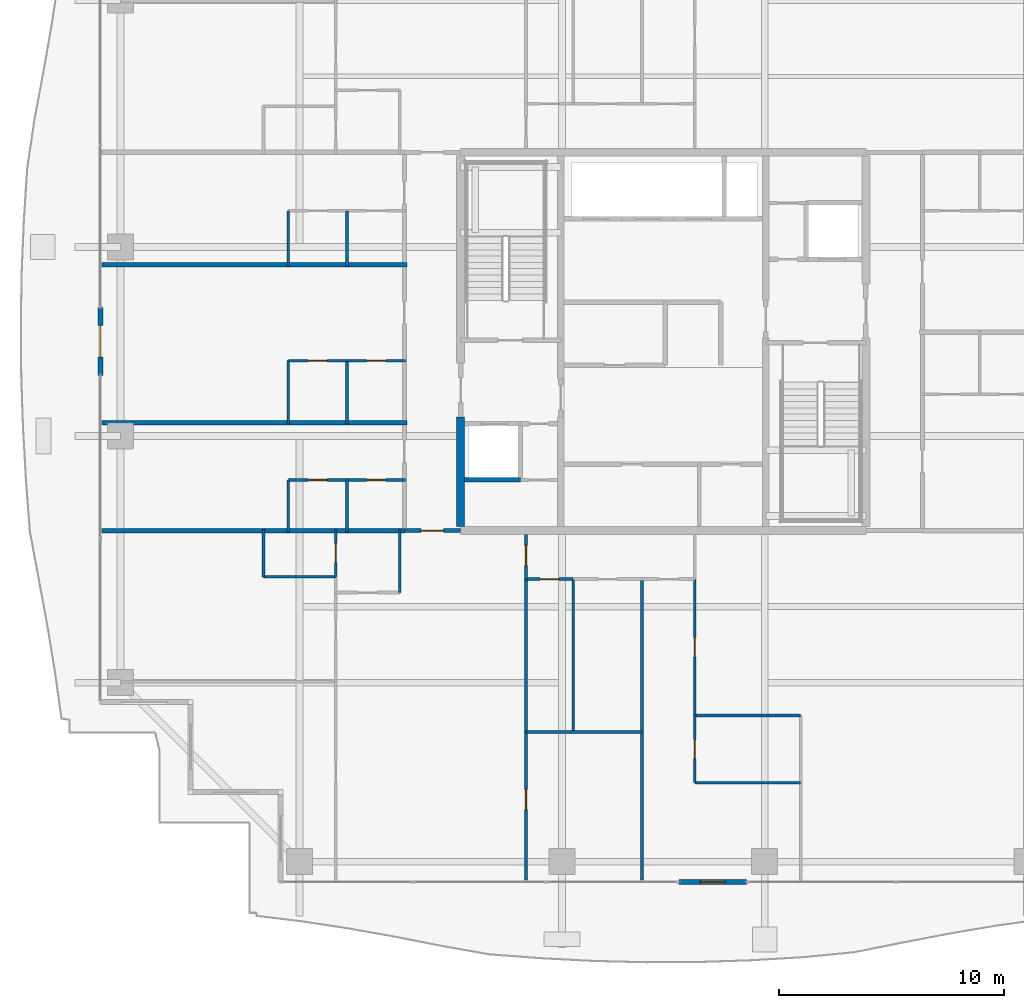
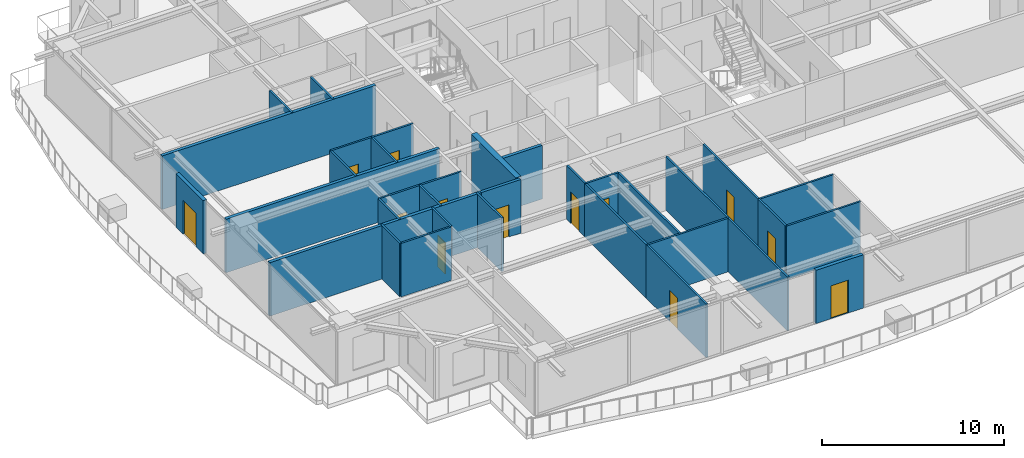
# One storey, part 25 of 36: 33 walls, 13 doors, 13 openings.
"""IFC4 building model written with IfcOpenShell, lengths in metres."""

from ifc_helpers import new_model, si_unit, direction, frame, frame_2d, origin, place, context, subcontext, project, spatial, rectangle, extrude, source, transform, mapped, material, layer, layer_set, type_object, element, fill, save


model = new_model("IFC4")

# Units and contexts
model_context = context("Model", 3, precision=1e-05, world=origin(), true_north=direction((0.0, 1.0)))
body_context = subcontext(model_context, "Body", "Model", "MODEL_VIEW")
ifc_project = project(units=[si_unit("LENGTHUNIT", "METRE"), si_unit("AREAUNIT", "SQUARE_METRE"), si_unit("VOLUMEUNIT", "CUBIC_METRE"), si_unit("PLANEANGLEUNIT", "RADIAN"), si_unit("MASSUNIT", "GRAM", prefix="KILO")], contexts=[model_context])

# Site, building, storey
site_placement = place(None, origin())
site = spatial("IfcSite", under=ifc_project, at=site_placement, CompositionType="ELEMENT")
building_placement = place(site_placement, origin())
building = spatial("IfcBuilding", under=site, at=building_placement, Name="Serunith Strait Residences", CompositionType="ELEMENT")
storey_placement = place(building_placement, frame((0.0, 0.0, 272.050048828125)))
storey = spatial("IfcBuildingStorey", under=building, at=storey_placement, Name="L68", CompositionType="ELEMENT", Elevation=272.050048828125)

# Wall, opening, door
ifc_material_1 = material(Name="Pale-Champagne Aluminium Insulated Panel", Category="aluminium")
ifc_layer_1 = layer(ifc_material_1, 0.219970703125, Name="Pale-Champagne Aluminium Insulated Panel")
ifc_layer_set_1 = layer_set([ifc_layer_1], Name="Pale-Champagne Aluminium Insulated Panel")
wall_type_1 = type_object("IfcWallType", Name="EW-ALUM-220", PredefinedType="ELEMENTEDWALL", material=ifc_layer_set_1)
wall_1_placement = place(storey_placement, frame((33.10009765625, 1.199951171875, 0.0), z_axis=(0.0, 0.0, 1.0), x_axis=(1.0, 0.0, 0.0)))
wall_1 = element("IfcWall", 1, at=wall_1_placement, inside=storey, type_object=wall_type_1, Name="L68 S Facade Pier Wall", PredefinedType="ELEMENTEDWALL", context=body_context, shape_type="SweptSolid", body=[
    extrude(rectangle(XDim=3.0, YDim=0.219970703125, at=frame_2d((1.5, 0.0))), origin(), (0.0, 0.0, 1.0), 3.574951171875),
])
opening_1_placement = place(wall_1_placement, frame((0.949951171875, 0.0, 0.0)))
opening_1 = element("IfcOpeningElement", 2, at=opening_1_placement, cuts=wall_1, Name="Opening ED-03", PredefinedType="OPENING", context=body_context, shape_type="SweptSolid", body=[
    extrude(rectangle(XDim=1.10009765625, YDim=2.199951171875, at=frame_2d((0.550048828125, 1.10009765625))), frame((0.0, 0.1201171875, 0.0), z_axis=(0.0, -1.0, 0.0), x_axis=(1.0, 0.0, 0.0)), (0.0, 0.0, 1.0), 0.239990234375),
])
ifc_material_2 = material(Name="Thermally-Broken Aluminium Glazed Balcony Door", Category="aluminium")
door_type_1 = type_object("IfcDoorType", Name="ED-BALC-1100", OperationType="NOTDEFINED", PredefinedType="DOOR", material=ifc_material_2)
shared_shape_1 = source(origin(), body_context, "Body", "SweptSolid", [
    extrude(rectangle(XDim=1.10009765625, YDim=2.199951171875, at=frame_2d((0.550048828125, 1.10009765625))), frame((0.0, 0.02490234375, 0.0), z_axis=(0.0, -1.0, 0.0), x_axis=(1.0, 0.0, 0.0)), (0.0, 0.0, 1.0), 0.050048828125),
])
door_1_placement = place(opening_1_placement, origin())
door_1 = element("IfcDoor", 3, at=door_1_placement, inside=storey, type_object=door_type_1, Name="L68 S Vertical-Forest Balcony Door", OperationType="SINGLE_SWING_LEFT", OverallHeight=2.199951171875, OverallWidth=1.10009765625, PredefinedType="DOOR", context=body_context, shape_type="MappedRepresentation", body=[
    mapped(shared_shape_1, transform((0.0, 0.0, 0.0), scale=1.0)),
])
fill(opening_1, door_1)

wall_2_placement = place(storey_placement, frame((7.39990234375, 26.699951171875, 0.0), z_axis=(0.0, 0.0, 1.0), x_axis=(0.0, -1.0, 0.0)))
wall_2 = element("IfcWall", 4, at=wall_2_placement, inside=storey, type_object=wall_type_1, Name="L68 W Facade Pier Wall", PredefinedType="ELEMENTEDWALL", context=body_context, shape_type="SweptSolid", body=[
    extrude(rectangle(XDim=3.0, YDim=0.219970703125, at=frame_2d((1.5, 0.0))), origin(), (0.0, 0.0, 1.0), 3.574951171875),
])
opening_2_placement = place(wall_2_placement, frame((0.800048828125, 0.0, 0.0)))
opening_2 = element("IfcOpeningElement", 5, at=opening_2_placement, cuts=wall_2, Name="Opening ED-04", PredefinedType="OPENING", context=body_context, shape_type="SweptSolid", body=[
    extrude(rectangle(XDim=1.39990234375, YDim=2.25, at=frame_2d((0.699951171875, 1.125))), frame((0.0, 0.1201171875, 0.0), z_axis=(0.0, -1.0, 0.0), x_axis=(1.0, 0.0, 0.0)), (0.0, 0.0, 1.0), 0.239990234375),
])
ifc_material_3 = material(Name="Thermally-Broken Aluminium Sliding Balcony Door", Category="aluminium")
door_type_2 = type_object("IfcDoorType", Name="ED-BALC-1400", OperationType="NOTDEFINED", PredefinedType="DOOR", material=ifc_material_3)
shared_shape_2 = source(origin(), body_context, "Body", "SweptSolid", [
    extrude(rectangle(XDim=1.39990234375, YDim=2.25, at=frame_2d((0.699951171875, 1.125))), frame((0.0, 0.02490234375, 0.0), z_axis=(0.0, -1.0, 0.0), x_axis=(1.0, 0.0, 0.0)), (0.0, 0.0, 1.0), 0.050048828125),
])
door_2_placement = place(opening_2_placement, origin())
door_2 = element("IfcDoor", 6, at=door_2_placement, inside=storey, type_object=door_type_2, Name="L68 W Vertical-Forest Balcony Door", OperationType="SLIDING_TO_LEFT", OverallHeight=2.25, OverallWidth=1.39990234375, PredefinedType="DOOR", context=body_context, shape_type="MappedRepresentation", body=[
    mapped(shared_shape_2, transform((0.0, 0.0, 0.0), scale=1.0)),
])
fill(opening_2, door_2)

ifc_material_4 = material(Name="Fire-rated acoustic gypsum partition")
ifc_layer_2 = layer(ifc_material_4, 0.179931640625, Name="Fire-rated acoustic gypsum partition")
ifc_layer_set_2 = layer_set([ifc_layer_2], Name="Fire-rated acoustic gypsum partition")
wall_type_2 = type_object("IfcWallType", Name="IW-CORR-180", PredefinedType="PARTITIONING", material=ifc_layer_set_2)
wall_3_placement = place(storey_placement, frame((20.902099609375, 16.800048828125, 0.0), z_axis=(0.0, 0.0, 1.0), x_axis=(1.0, 0.0, 0.0)))
wall_3 = element("IfcWall", 7, at=wall_3_placement, inside=storey, type_object=wall_type_2, Name="L68 Partition Wall 027", PredefinedType="PARTITIONING", context=body_context, shape_type="SweptSolid", body=[
    extrude(rectangle(XDim=2.495849609375, YDim=0.179931640625, at=frame_2d((1.248046875, 0.0))), origin(), (0.0, 0.0, 1.0), 3.58984375),
])
opening_3_placement = place(wall_3_placement, frame((0.748046875, 0.0, 0.0)))
opening_3 = element("IfcOpeningElement", 8, at=opening_3_placement, cuts=wall_3, Name="Opening D-APT1000", PredefinedType="OPENING", context=body_context, shape_type="SweptSolid", body=[
    extrude(rectangle(XDim=1.0, YDim=2.14990234375, at=frame_2d((0.5, 1.074951171875))), frame((0.0, 0.10009765625, 0.0), z_axis=(0.0, -1.0, 0.0), x_axis=(1.0, 0.0, 0.0)), (0.0, 0.0, 1.0), 0.199951171875),
])
ifc_material_5 = material(Name="Solid timber engineered fire door", Category="wood")
door_type_3 = type_object("IfcDoorType", Name="ID-APT-1000", OperationType="NOTDEFINED", PredefinedType="DOOR", material=ifc_material_5)
shared_shape_3 = source(origin(), body_context, "Body", "SweptSolid", [
    extrude(rectangle(XDim=1.0, YDim=2.14990234375, at=frame_2d((0.5, 1.074951171875))), frame((0.0, 0.02490234375, 0.0), z_axis=(0.0, -1.0, 0.0), x_axis=(1.0, 0.0, 0.0)), (0.0, 0.0, 1.0), 0.050048828125),
])
door_3_placement = place(opening_3_placement, origin())
door_3 = element("IfcDoor", 9, at=door_3_placement, inside=storey, type_object=door_type_3, Name="L68 Unit 01 Entrance Door", OperationType="SINGLE_SWING_LEFT", OverallHeight=2.14990234375, OverallWidth=1.0, PredefinedType="DOOR", context=body_context, shape_type="MappedRepresentation", body=[
    mapped(shared_shape_3, transform((0.0, 0.0, 0.0), scale=1.0)),
])
fill(opening_3, door_3)

# Walls
ifc_material_6 = material(Name="Lightweight steel-stud gypsum partition", Category="steel")
ifc_layer_3 = layer(ifc_material_6, 0.1201171875, Name="Lightweight steel-stud gypsum partition")
ifc_layer_set_3 = layer_set([ifc_layer_3], Name="Lightweight steel-stud gypsum partition")
wall_type_3 = type_object("IfcWallType", Name="IW-PART-120", PredefinedType="PARTITIONING", material=ifc_layer_set_3)
wall_4_placement = place(storey_placement, frame((20.699951171875, 14.050048828125, 0.0), z_axis=(0.0, 0.0, 1.0), x_axis=(0.0, 1.0, 0.0)))
element("IfcWall", 10, at=wall_4_placement, inside=storey, type_object=wall_type_3, Name="L68 Partition Wall 034", PredefinedType="PARTITIONING", context=body_context, shape_type="SweptSolid", body=[
    extrude(rectangle(XDim=2.81005859375, YDim=0.1201171875, at=frame_2d((1.405029296875, 0.0))), origin(), (0.0, 0.0, 1.0), 3.58984375),
])
wall_5_placement = place(storey_placement, frame((14.64990234375, 14.75, 0.0), z_axis=(0.0, 0.0, 1.0), x_axis=(1.0, 0.0, 0.0)))
element("IfcWall", 11, at=wall_5_placement, inside=storey, type_object=wall_type_3, Name="L68 Partition Wall 037", PredefinedType="PARTITIONING", context=body_context, shape_type="SweptSolid", body=[
    extrude(rectangle(XDim=3.2001953125, YDim=0.1201171875, at=frame_2d((1.60009765625, 0.0))), origin(), (0.0, 0.0, 1.0), 3.58984375),
])
wall_6_placement = place(storey_placement, frame((14.64990234375, 14.75, 0.0), z_axis=(0.0, 0.0, 1.0), x_axis=(0.0, 1.0, 0.0)))
element("IfcWall", 12, at=wall_6_placement, inside=storey, type_object=wall_type_3, Name="L68 Partition Wall 038", PredefinedType="PARTITIONING", context=body_context, shape_type="SweptSolid", body=[
    extrude(rectangle(XDim=2.110107421875, YDim=0.1201171875, at=frame_2d((1.05517578125, 0.0))), origin(), (0.0, 0.0, 1.0), 3.58984375),
])

# Wall, opening, door
wall_7_placement = place(storey_placement, frame((17.85009765625, 14.751953125, 0.0), z_axis=(0.0, 0.0, 1.0), x_axis=(0.0, 1.0, 0.0)))
wall_7 = element("IfcWall", 13, at=wall_7_placement, inside=storey, type_object=wall_type_3, Name="L68 Partition Wall 040", PredefinedType="PARTITIONING", context=body_context, shape_type="SweptSolid", body=[
    extrude(rectangle(XDim=2.108154296875, YDim=0.1201171875, at=frame_2d((1.05419921875, 0.0))), origin(), (0.0, 0.0, 1.0), 3.58984375),
])
opening_4_placement = place(wall_7_placement, frame((0.62890625, 0.0, 0.0)))
opening_4 = element("IfcOpeningElement", 14, at=opening_4_placement, cuts=wall_7, Name="Opening D-BTH850", PredefinedType="OPENING", context=body_context, shape_type="SweptSolid", body=[
    extrude(rectangle(XDim=0.85009765625, YDim=2.10009765625, at=frame_2d((0.425048828125, 1.050048828125))), frame((0.0, 0.070068359375, 0.0), z_axis=(0.0, -1.0, 0.0), x_axis=(1.0, 0.0, 0.0)), (0.0, 0.0, 1.0), 0.14013671875),
])
ifc_material_7 = material(Name="Moisture-resistant timber bathroom door", Category="wood")
door_type_4 = type_object("IfcDoorType", Name="ID-BATH-850", OperationType="NOTDEFINED", PredefinedType="DOOR", material=ifc_material_7)
shared_shape_4 = source(origin(), body_context, "Body", "SweptSolid", [
    extrude(rectangle(XDim=0.85009765625, YDim=2.10009765625, at=frame_2d((0.425048828125, 1.050048828125))), frame((0.0, 0.02490234375, 0.0), z_axis=(0.0, -1.0, 0.0), x_axis=(1.0, 0.0, 0.0)), (0.0, 0.0, 1.0), 0.050048828125),
])
door_4_placement = place(opening_4_placement, origin())
door_4 = element("IfcDoor", 15, at=door_4_placement, inside=storey, type_object=door_type_4, Name="L68 Bathroom 6801 Door", OperationType="SINGLE_SWING_LEFT", OverallHeight=2.10009765625, OverallWidth=0.85009765625, PredefinedType="DOOR", context=body_context, shape_type="MappedRepresentation", body=[
    mapped(shared_shape_4, transform((0.0, 0.0, 0.0), scale=1.0)),
])
fill(opening_4, door_4)

wall_8_placement = place(storey_placement, frame((26.300048828125, 14.64990234375, 0.0), z_axis=(0.0, 0.0, 1.0), x_axis=(0.0, 1.0, 0.0)))
wall_8 = element("IfcWall", 16, at=wall_8_placement, inside=storey, type_object=wall_type_3, Name="L68 Partition Wall 041", PredefinedType="PARTITIONING", context=body_context, shape_type="SweptSolid", body=[
    extrude(rectangle(XDim=1.97509765625, YDim=0.1201171875, at=frame_2d((0.987548828125, 0.0))), origin(), (0.0, 0.0, 1.0), 3.58984375),
])
opening_5_placement = place(wall_8_placement, frame((0.60107421875, 0.0, 0.0)))
opening_5 = element("IfcOpeningElement", 17, at=opening_5_placement, cuts=wall_8, Name="Opening D-RM900", PredefinedType="OPENING", context=body_context, shape_type="SweptSolid", body=[
    extrude(rectangle(XDim=0.89990234375, YDim=2.10009765625, at=frame_2d((0.449951171875, 1.050048828125))), frame((0.0, 0.070068359375, 0.0), z_axis=(0.0, -1.0, 0.0), x_axis=(1.0, 0.0, 0.0)), (0.0, 0.0, 1.0), 0.14013671875),
])
ifc_material_8 = material(Name="Engineered timber flush bedroom door", Category="wood")
door_type_5 = type_object("IfcDoorType", Name="ID-ROOM-900", OperationType="NOTDEFINED", PredefinedType="DOOR", material=ifc_material_8)
shared_shape_5 = source(origin(), body_context, "Body", "SweptSolid", [
    extrude(rectangle(XDim=0.89990234375, YDim=2.10009765625, at=frame_2d((0.449951171875, 1.050048828125))), frame((0.0, 0.02490234375, 0.0), z_axis=(0.0, -1.0, 0.0), x_axis=(1.0, 0.0, 0.0)), (0.0, 0.0, 1.0), 0.050048828125),
])
door_5_placement = place(opening_5_placement, origin())
door_5 = element("IfcDoor", 18, at=door_5_placement, inside=storey, type_object=door_type_5, Name="L68 Hall E 6801 Door", OperationType="SINGLE_SWING_RIGHT", OverallHeight=2.10009765625, OverallWidth=0.89990234375, PredefinedType="DOOR", context=body_context, shape_type="MappedRepresentation", body=[
    mapped(shared_shape_5, transform((0.0, 0.0, 0.0), scale=1.0)),
])
fill(opening_5, door_5)

wall_9_placement = place(storey_placement, frame((26.300048828125, 1.294921875, 0.0), z_axis=(0.0, 0.0, 1.0), x_axis=(0.0, 1.0, 0.0)))
wall_9 = element("IfcWall", 19, at=wall_9_placement, inside=storey, type_object=wall_type_3, Name="L68 Partition Wall 042", PredefinedType="PARTITIONING", context=body_context, shape_type="SweptSolid", body=[
    extrude(rectangle(XDim=6.565185546875, YDim=0.1201171875, at=frame_2d((3.28271484375, 0.0))), origin(), (0.0, 0.0, 1.0), 3.58984375),
])
opening_6_placement = place(wall_9_placement, frame((3.115966796875, 0.0, 0.0)))
opening_6 = element("IfcOpeningElement", 20, at=opening_6_placement, cuts=wall_9, Name="Opening D-RM900", PredefinedType="OPENING", context=body_context, shape_type="SweptSolid", body=[
    extrude(rectangle(XDim=0.89990234375, YDim=2.10009765625, at=frame_2d((0.449951171875, 1.050048828125))), frame((0.0, 0.070068359375, 0.0), z_axis=(0.0, -1.0, 0.0), x_axis=(1.0, 0.0, 0.0)), (0.0, 0.0, 1.0), 0.14013671875),
])
door_6_placement = place(opening_6_placement, origin())
door_6 = element("IfcDoor", 21, at=door_6_placement, inside=storey, type_object=door_type_5, Name="L68 Formal Dining Room 2 6801 Door", OperationType="SINGLE_SWING_LEFT", OverallHeight=2.10009765625, OverallWidth=0.89990234375, PredefinedType="DOOR", context=body_context, shape_type="MappedRepresentation", body=[
    mapped(shared_shape_5, transform((0.0, 0.0, 0.0), scale=1.0)),
])
fill(opening_6, door_6)

# Walls
wall_10_placement = place(storey_placement, frame((26.300048828125, 7.862060546875, 0.0), z_axis=(0.0, 0.0, 1.0), x_axis=(0.0, 1.0, 0.0)))
element("IfcWall", 22, at=wall_10_placement, inside=storey, type_object=wall_type_3, Name="L68 Partition Wall 043", PredefinedType="PARTITIONING", context=body_context, shape_type="SweptSolid", body=[
    extrude(rectangle(XDim=6.785888671875, YDim=0.1201171875, at=frame_2d((3.39306640625, 0.0))), origin(), (0.0, 0.0, 1.0), 3.58984375),
])
wall_11_placement = place(storey_placement, frame((26.300048828125, 7.860107421875, 0.0), z_axis=(0.0, 0.0, 1.0), x_axis=(1.0, 0.0, 0.0)))
element("IfcWall", 23, at=wall_11_placement, inside=storey, type_object=wall_type_3, Name="L68 Partition Wall 044", PredefinedType="PARTITIONING", context=body_context, shape_type="SweptSolid", body=[
    extrude(rectangle(XDim=5.14990234375, YDim=0.1201171875, at=frame_2d((2.574951171875, 0.0))), origin(), (0.0, 0.0, 1.0), 3.58984375),
])
wall_12_placement = place(storey_placement, frame((31.449951171875, 1.294921875, 0.0), z_axis=(0.0, 0.0, 1.0), x_axis=(0.0, 1.0, 0.0)))
element("IfcWall", 24, at=wall_12_placement, inside=storey, type_object=wall_type_3, Name="L68 Partition Wall 045", PredefinedType="PARTITIONING", context=body_context, shape_type="SweptSolid", body=[
    extrude(rectangle(XDim=13.35498046875, YDim=0.1201171875, at=frame_2d((6.677490234375, 0.0))), origin(), (0.0, 0.0, 1.0), 3.58984375),
])
wall_13_placement = place(storey_placement, frame((28.39990234375, 7.860107421875, 0.0), z_axis=(0.0, 0.0, 1.0), x_axis=(0.0, 1.0, 0.0)))
element("IfcWall", 25, at=wall_13_placement, inside=storey, type_object=wall_type_3, Name="L68 Partition Wall 046", PredefinedType="PARTITIONING", context=body_context, shape_type="SweptSolid", body=[
    extrude(rectangle(XDim=6.789794921875, YDim=0.1201171875, at=frame_2d((3.39501953125, 0.0))), origin(), (0.0, 0.0, 1.0), 3.58984375),
])

# Wall, opening, door
wall_14_placement = place(storey_placement, frame((26.300048828125, 14.64990234375, 0.0), z_axis=(0.0, 0.0, 1.0), x_axis=(1.0, 0.0, 0.0)))
wall_14 = element("IfcWall", 26, at=wall_14_placement, inside=storey, type_object=wall_type_3, Name="L68 Partition Wall 047", PredefinedType="PARTITIONING", context=body_context, shape_type="SweptSolid", body=[
    extrude(rectangle(XDim=2.099853515625, YDim=0.1201171875, at=frame_2d((1.0498046875, 0.0))), origin(), (0.0, 0.0, 1.0), 3.58984375),
])
opening_7_placement = place(wall_14_placement, frame((0.625, 0.0, 0.0)))
opening_7 = element("IfcOpeningElement", 27, at=opening_7_placement, cuts=wall_14, Name="Opening D-RM850", PredefinedType="OPENING", context=body_context, shape_type="SweptSolid", body=[
    extrude(rectangle(XDim=0.85009765625, YDim=2.10009765625, at=frame_2d((0.425048828125, 1.050048828125))), frame((0.0, 0.070068359375, 0.0), z_axis=(0.0, -1.0, 0.0), x_axis=(1.0, 0.0, 0.0)), (0.0, 0.0, 1.0), 0.14013671875),
])
ifc_material_9 = material(Name="Engineered timber flush study and kitchen door", Category="wood")
door_type_6 = type_object("IfcDoorType", Name="ID-ROOM-850", OperationType="NOTDEFINED", PredefinedType="DOOR", material=ifc_material_9)
door_7_placement = place(opening_7_placement, origin())
door_7 = element("IfcDoor", 28, at=door_7_placement, inside=storey, type_object=door_type_6, Name="L68 Study 6801 Door", OperationType="SINGLE_SWING_RIGHT", OverallHeight=2.10009765625, OverallWidth=0.85009765625, PredefinedType="DOOR", context=body_context, shape_type="MappedRepresentation", body=[
    mapped(shared_shape_4, transform((0.0, 0.0, 0.0), scale=1.0)),
])
fill(opening_7, door_7)

# Walls
for number, where, z_axis, x_axis, name in (
    (29, (33.800048828125, 5.60888671875, 0.0), (0.0, 0.0, 1.0), (1.0, 0.0, 0.0), "L68 Partition Wall 050"),
    (30, (33.800048828125, 8.587890625, 0.0), (0.0, 0.0, 1.0), (1.0, 0.0, 0.0), "L68 Partition Wall 052"),
):
    element("IfcWall", number, at=place(storey_placement, frame(where, z_axis=z_axis, x_axis=x_axis)), inside=storey, type_object=wall_type_3, Name=name, PredefinedType="PARTITIONING", context=body_context, shape_type="SweptSolid", body=[
        extrude(rectangle(XDim=4.699951171875, YDim=0.1201171875, at=frame_2d((2.35009765625, 0.0))), origin(), (0.0, 0.0, 1.0), 3.58984375),
    ])

# Wall, opening, door
wall_15_placement = place(storey_placement, frame((33.800048828125, 5.60888671875, 0.0), z_axis=(0.0, 0.0, 1.0), x_axis=(0.0, 1.0, 0.0)))
wall_15 = element("IfcWall", 31, at=wall_15_placement, inside=storey, type_object=wall_type_3, Name="L68 Partition Wall 053", PredefinedType="PARTITIONING", context=body_context, shape_type="SweptSolid", body=[
    extrude(rectangle(XDim=2.97900390625, YDim=0.1201171875, at=frame_2d((1.489501953125, 0.0))), origin(), (0.0, 0.0, 1.0), 3.58984375),
])
opening_8_placement = place(wall_15_placement, frame((1.06396484375, 0.0, 0.0)))
opening_8 = element("IfcOpeningElement", 32, at=opening_8_placement, cuts=wall_15, Name="Opening D-BTH850", PredefinedType="OPENING", context=body_context, shape_type="SweptSolid", body=[
    extrude(rectangle(XDim=0.85009765625, YDim=2.10009765625, at=frame_2d((0.425048828125, 1.050048828125))), frame((0.0, 0.070068359375, 0.0), z_axis=(0.0, -1.0, 0.0), x_axis=(1.0, 0.0, 0.0)), (0.0, 0.0, 1.0), 0.14013671875),
])
door_8_placement = place(opening_8_placement, origin())
door_8 = element("IfcDoor", 33, at=door_8_placement, inside=storey, type_object=door_type_4, Name="L68 En-suite Bathroom E 6801 Door", OperationType="SINGLE_SWING_LEFT", OverallHeight=2.10009765625, OverallWidth=0.85009765625, PredefinedType="DOOR", context=body_context, shape_type="MappedRepresentation", body=[
    mapped(shared_shape_4, transform((0.0, 0.0, 0.0), scale=1.0)),
])
fill(opening_8, door_8)

wall_16_placement = place(storey_placement, frame((33.800048828125, 8.590087890625, 0.0), z_axis=(0.0, 0.0, 1.0), x_axis=(0.0, 1.0, 0.0)))
wall_16 = element("IfcWall", 34, at=wall_16_placement, inside=storey, type_object=wall_type_3, Name="L68 Partition Wall 054", PredefinedType="PARTITIONING", context=body_context, shape_type="SweptSolid", body=[
    extrude(rectangle(XDim=6.059814453125, YDim=0.1201171875, at=frame_2d((3.02978515625, 0.0))), origin(), (0.0, 0.0, 1.0), 3.58984375),
])
opening_9_placement = place(wall_16_placement, frame((2.60498046875, 0.0, 0.0)))
opening_9 = element("IfcOpeningElement", 35, at=opening_9_placement, cuts=wall_16, Name="Opening D-RM850", PredefinedType="OPENING", context=body_context, shape_type="SweptSolid", body=[
    extrude(rectangle(XDim=0.85009765625, YDim=2.10009765625, at=frame_2d((0.425048828125, 1.050048828125))), frame((0.0, 0.070068359375, 0.0), z_axis=(0.0, -1.0, 0.0), x_axis=(1.0, 0.0, 0.0)), (0.0, 0.0, 1.0), 0.14013671875),
])
door_9_placement = place(opening_9_placement, origin())
door_9 = element("IfcDoor", 36, at=door_9_placement, inside=storey, type_object=door_type_6, Name="L68 Wardrobe E 6801 Door", OperationType="SINGLE_SWING_RIGHT", OverallHeight=2.10009765625, OverallWidth=0.85009765625, PredefinedType="DOOR", context=body_context, shape_type="MappedRepresentation", body=[
    mapped(shared_shape_4, transform((0.0, 0.0, 0.0), scale=1.0)),
])
fill(opening_9, door_9)

wall_17_placement = place(storey_placement, frame((15.75, 19.050048828125, 0.0), z_axis=(0.0, 0.0, 1.0), x_axis=(1.0, 0.0, 0.0)))
wall_17 = element("IfcWall", 37, at=wall_17_placement, inside=storey, type_object=wall_type_3, Name="L68 Partition Wall 079", PredefinedType="PARTITIONING", context=body_context, shape_type="SweptSolid", body=[
    extrude(rectangle(XDim=2.60009765625, YDim=0.1201171875, at=frame_2d((1.300048828125, 0.0))), origin(), (0.0, 0.0, 1.0), 3.58984375),
])
opening_10_placement = place(wall_17_placement, frame((0.875, 0.0, 0.0)))
opening_10 = element("IfcOpeningElement", 38, at=opening_10_placement, cuts=wall_17, Name="Opening D-RM850", PredefinedType="OPENING", context=body_context, shape_type="SweptSolid", body=[
    extrude(rectangle(XDim=0.85009765625, YDim=2.10009765625, at=frame_2d((0.425048828125, 1.050048828125))), frame((0.0, 0.070068359375, 0.0), z_axis=(0.0, -1.0, 0.0), x_axis=(1.0, 0.0, 0.0)), (0.0, 0.0, 1.0), 0.14013671875),
])
door_10_placement = place(opening_10_placement, origin())
door_10 = element("IfcDoor", 39, at=door_10_placement, inside=storey, type_object=door_type_6, Name="L68 Kitchen 6803 Door", OperationType="SINGLE_SWING_RIGHT", OverallHeight=2.10009765625, OverallWidth=0.85009765625, PredefinedType="DOOR", context=body_context, shape_type="MappedRepresentation", body=[
    mapped(shared_shape_4, transform((0.0, 0.0, 0.0), scale=1.0)),
])
fill(opening_10, door_10)

wall_18_placement = place(storey_placement, frame((18.35205078125, 19.050048828125, 0.0), z_axis=(0.0, 0.0, 1.0), x_axis=(1.0, 0.0, 0.0)))
wall_18 = element("IfcWall", 40, at=wall_18_placement, inside=storey, type_object=wall_type_3, Name="L68 Partition Wall 080", PredefinedType="PARTITIONING", context=body_context, shape_type="SweptSolid", body=[
    extrude(rectangle(XDim=2.60791015625, YDim=0.1201171875, at=frame_2d((1.303955078125, 0.0))), origin(), (0.0, 0.0, 1.0), 3.58984375),
])
opening_11_placement = place(wall_18_placement, frame((0.87890625, 0.0, 0.0)))
opening_11 = element("IfcOpeningElement", 41, at=opening_11_placement, cuts=wall_18, Name="Opening D-BTH850", PredefinedType="OPENING", context=body_context, shape_type="SweptSolid", body=[
    extrude(rectangle(XDim=0.85009765625, YDim=2.10009765625, at=frame_2d((0.425048828125, 1.050048828125))), frame((0.0, 0.070068359375, 0.0), z_axis=(0.0, -1.0, 0.0), x_axis=(1.0, 0.0, 0.0)), (0.0, 0.0, 1.0), 0.14013671875),
])
door_11_placement = place(opening_11_placement, origin())
door_11 = element("IfcDoor", 42, at=door_11_placement, inside=storey, type_object=door_type_4, Name="L68 Bathroom 6803 Door", OperationType="SINGLE_SWING_LEFT", OverallHeight=2.10009765625, OverallWidth=0.85009765625, PredefinedType="DOOR", context=body_context, shape_type="MappedRepresentation", body=[
    mapped(shared_shape_4, transform((0.0, 0.0, 0.0), scale=1.0)),
])
fill(opening_11, door_11)

# Walls
for number, where, z_axis, x_axis, name in (
    (43, (18.35009765625, 16.739990234375, 0.0), (0.0, 0.0, 1.0), (0.0, 1.0, 0.0), "L68 Partition Wall 081"),
    (44, (15.75, 16.739990234375, 0.0), (0.0, 0.0, 1.0), (0.0, 1.0, 0.0), "L68 Partition Wall 082"),
):
    element("IfcWall", number, at=place(storey_placement, frame(where, z_axis=z_axis, x_axis=x_axis)), inside=storey, type_object=wall_type_3, Name=name, PredefinedType="PARTITIONING", context=body_context, shape_type="SweptSolid", body=[
        extrude(rectangle(XDim=2.31005859375, YDim=0.1201171875, at=frame_2d((1.155029296875, 0.0))), origin(), (0.0, 0.0, 1.0), 3.58984375),
    ])

# Wall, opening, door
wall_19_placement = place(storey_placement, frame((15.75, 24.35009765625, 0.0), z_axis=(0.0, 0.0, 1.0), x_axis=(1.0, 0.0, 0.0)))
wall_19 = element("IfcWall", 45, at=wall_19_placement, inside=storey, type_object=wall_type_3, Name="L68 Partition Wall 083", PredefinedType="PARTITIONING", context=body_context, shape_type="SweptSolid", body=[
    extrude(rectangle(XDim=2.60009765625, YDim=0.1201171875, at=frame_2d((1.300048828125, 0.0))), origin(), (0.0, 0.0, 1.0), 3.58984375),
])
opening_12_placement = place(wall_19_placement, frame((0.875, 0.0, 0.0)))
opening_12 = element("IfcOpeningElement", 46, at=opening_12_placement, cuts=wall_19, Name="Opening D-RM850", PredefinedType="OPENING", context=body_context, shape_type="SweptSolid", body=[
    extrude(rectangle(XDim=0.85009765625, YDim=2.10009765625, at=frame_2d((0.425048828125, 1.050048828125))), frame((0.0, 0.070068359375, 0.0), z_axis=(0.0, -1.0, 0.0), x_axis=(1.0, 0.0, 0.0)), (0.0, 0.0, 1.0), 0.14013671875),
])
door_12_placement = place(opening_12_placement, origin())
door_12 = element("IfcDoor", 47, at=door_12_placement, inside=storey, type_object=door_type_6, Name="L68 Kitchen 6804 Door", OperationType="SINGLE_SWING_RIGHT", OverallHeight=2.10009765625, OverallWidth=0.85009765625, PredefinedType="DOOR", context=body_context, shape_type="MappedRepresentation", body=[
    mapped(shared_shape_4, transform((0.0, 0.0, 0.0), scale=1.0)),
])
fill(opening_12, door_12)

wall_20_placement = place(storey_placement, frame((18.35205078125, 24.35009765625, 0.0), z_axis=(0.0, 0.0, 1.0), x_axis=(1.0, 0.0, 0.0)))
wall_20 = element("IfcWall", 48, at=wall_20_placement, inside=storey, type_object=wall_type_3, Name="L68 Partition Wall 084", PredefinedType="PARTITIONING", context=body_context, shape_type="SweptSolid", body=[
    extrude(rectangle(XDim=2.60791015625, YDim=0.1201171875, at=frame_2d((1.303955078125, 0.0))), origin(), (0.0, 0.0, 1.0), 3.58984375),
])
opening_13_placement = place(wall_20_placement, frame((0.87890625, 0.0, 0.0)))
opening_13 = element("IfcOpeningElement", 49, at=opening_13_placement, cuts=wall_20, Name="Opening D-BTH850", PredefinedType="OPENING", context=body_context, shape_type="SweptSolid", body=[
    extrude(rectangle(XDim=0.85009765625, YDim=2.10009765625, at=frame_2d((0.425048828125, 1.050048828125))), frame((0.0, 0.070068359375, 0.0), z_axis=(0.0, -1.0, 0.0), x_axis=(1.0, 0.0, 0.0)), (0.0, 0.0, 1.0), 0.14013671875),
])
door_13_placement = place(opening_13_placement, origin())
door_13 = element("IfcDoor", 50, at=door_13_placement, inside=storey, type_object=door_type_4, Name="L68 Bathroom 6804 Door", OperationType="SINGLE_SWING_LEFT", OverallHeight=2.10009765625, OverallWidth=0.85009765625, PredefinedType="DOOR", context=body_context, shape_type="MappedRepresentation", body=[
    mapped(shared_shape_4, transform((0.0, 0.0, 0.0), scale=1.0)),
])
fill(opening_13, door_13)

# Walls
for number, where, z_axis, x_axis, name in (
    (51, (18.35009765625, 21.5400390625, 0.0), (0.0, 0.0, 1.0), (0.0, 1.0, 0.0), "L68 Partition Wall 085"),
    (52, (15.75, 21.5400390625, 0.0), (0.0, 0.0, 1.0), (0.0, 1.0, 0.0), "L68 Partition Wall 086"),
):
    element("IfcWall", number, at=place(storey_placement, frame(where, z_axis=z_axis, x_axis=x_axis)), inside=storey, type_object=wall_type_3, Name=name, PredefinedType="PARTITIONING", context=body_context, shape_type="SweptSolid", body=[
        extrude(rectangle(XDim=2.81005859375, YDim=0.1201171875, at=frame_2d((1.405029296875, 0.0))), origin(), (0.0, 0.0, 1.0), 3.58984375),
    ])
for number, where, z_axis, x_axis, name in (
    (53, (18.35009765625, 28.5400390625, 0.0), (0.0, 0.0, 1.0), (0.0, 1.0, 0.0), "L68 Partition Wall 089"),
    (54, (15.75, 28.5400390625, 0.0), (0.0, 0.0, 1.0), (0.0, 1.0, 0.0), "L68 Partition Wall 090"),
):
    element("IfcWall", number, at=place(storey_placement, frame(where, z_axis=z_axis, x_axis=x_axis)), inside=storey, type_object=wall_type_3, Name=name, PredefinedType="PARTITIONING", context=body_context, shape_type="SweptSolid", body=[
        extrude(rectangle(XDim=2.4599609375, YDim=0.1201171875, at=frame_2d((1.22998046875, 0.0))), origin(), (0.0, 0.0, 1.0), 3.58984375),
    ])
ifc_material_10 = material(Name="Twin-stud acoustic gypsum board partition")
ifc_layer_4 = layer(ifc_material_10, 0.199951171875, Name="Twin-stud acoustic gypsum board partition")
ifc_layer_set_4 = layer_set([ifc_layer_4], Name="Twin-stud acoustic gypsum board partition")
wall_type_4 = type_object("IfcWallType", Name="IW-PARTY-200", PredefinedType="PARTITIONING", material=ifc_layer_set_4)
for number, where, z_axis, x_axis, name in (
    (55, (7.48193359375, 21.60009765625, 0.0), (0.0, 0.0, 1.0), (1.0, 0.0, 0.0), "L68 Partition Wall 020"),
    (56, (7.48193359375, 28.60009765625, 0.0), (0.0, 0.0, 1.0), (1.0, 0.0, 0.0), "L68 Partition Wall 021"),
):
    element("IfcWall", number, at=place(storey_placement, frame(where, z_axis=z_axis, x_axis=x_axis)), inside=storey, type_object=wall_type_4, Name=name, PredefinedType="PARTITIONING", context=body_context, shape_type="SweptSolid", body=[
        extrude(rectangle(XDim=13.5380859375, YDim=0.199951171875, at=frame_2d((6.76904296875, 0.0))), origin(), (0.0, 0.0, 1.0), 3.58984375),
    ])
wall_21_placement = place(storey_placement, frame((7.48193359375, 16.800048828125, 0.0), z_axis=(0.0, 0.0, 1.0), x_axis=(1.0, 0.0, 0.0)))
element("IfcWall", 57, at=wall_21_placement, inside=storey, type_object=wall_type_4, Name="L68 Partition Wall 023", PredefinedType="PARTITIONING", context=body_context, shape_type="SweptSolid", body=[
    extrude(rectangle(XDim=13.41796875, YDim=0.199951171875, at=frame_2d((6.708984375, 0.0))), origin(), (0.0, 0.0, 1.0), 3.58984375),
])
ifc_material_11 = material(Name="Autoclaved aerated concrete blockwork", Category="masonry")
ifc_layer_5 = layer(ifc_material_11, 0.199951171875, Name="Autoclaved aerated concrete blockwork")
ifc_layer_set_5 = layer_set([ifc_layer_5], Name="Autoclaved aerated concrete blockwork")
wall_type_5 = type_object("IfcWallType", Name="IW-SHAFT-200", PredefinedType="STANDARD", material=ifc_layer_set_5)
wall_22_placement = place(storey_placement, frame((23.574951171875, 19.050048828125, 0.0), z_axis=(0.0, 0.0, 1.0), x_axis=(1.0, 0.0, 0.0)))
element("IfcWall", 58, at=wall_22_placement, inside=storey, type_object=wall_type_5, Name="L68 Partition Wall 002", PredefinedType="STANDARD", context=body_context, shape_type="SweptSolid", body=[
    extrude(rectangle(XDim=2.47509765625, YDim=0.199951171875, at=frame_2d((1.237548828125, 0.0))), origin(), (0.0, 0.0, 1.0), 3.58984375),
])
ifc_material_12 = material(Name="Concrete C60/75", Category="concrete")
ifc_layer_6 = layer(ifc_material_12, 0.35009765625, Name="Concrete C60/75")
ifc_layer_set_6 = layer_set([ifc_layer_6], Name="Concrete C60/75")
wall_type_6 = type_object("IfcWallType", Name="SW-350-C60", PredefinedType="SHEAR", material=ifc_layer_set_6)
wall_23_placement = place(storey_placement, frame((23.39990234375, 16.97509765625, -0.260009765625), z_axis=(0.0, 0.0, 1.0), x_axis=(0.0, 1.0, 0.0)))
element("IfcWall", 59, at=wall_23_placement, inside=storey, type_object=wall_type_6, Name="L68 Core West Shear Wall South Pier", PredefinedType="SHEAR", context=body_context, shape_type="SweptSolid", body=[
    extrude(rectangle(XDim=4.875, YDim=0.35009765625, at=frame_2d((2.4375, 0.0))), origin(), (0.0, 0.0, 1.0), 3.847900390625),
])

save(model, "model.ifc")
